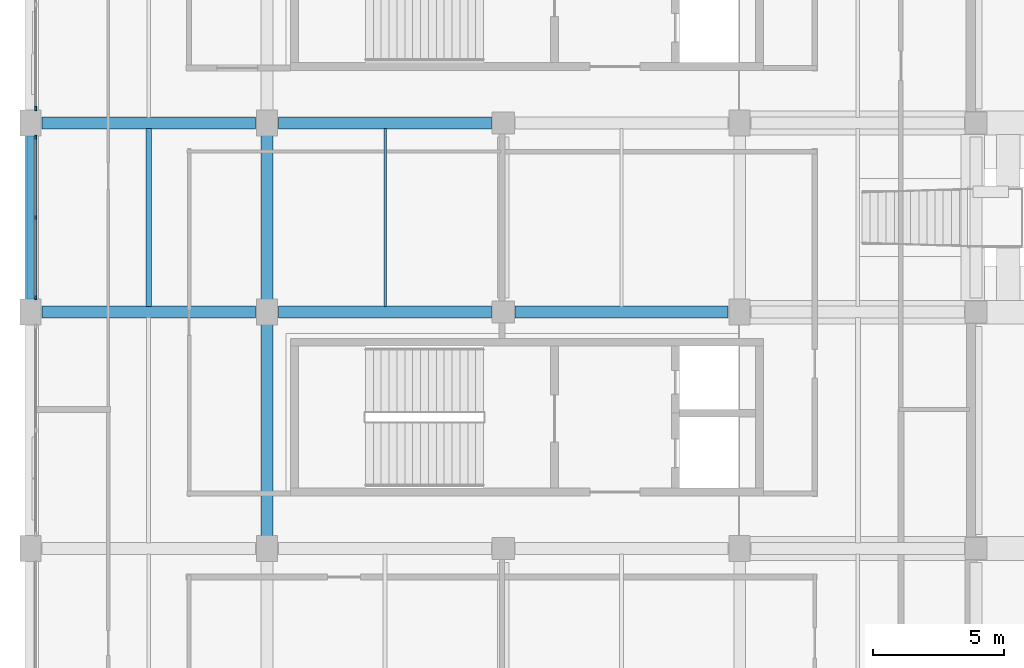
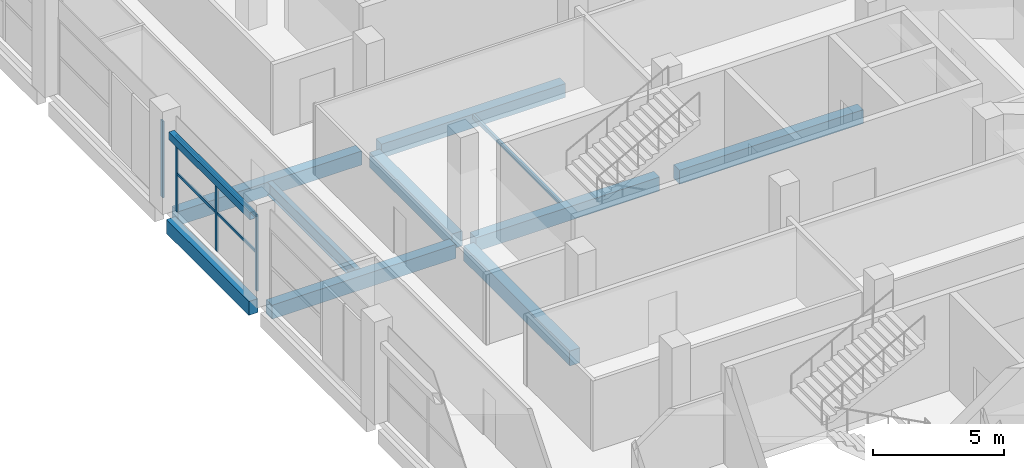
# One storey, part 27 of 66: 10 beams, 7 members, 2 elements without a shape of their own.
"""IFC4 building model written with IfcOpenShell, lengths in metres."""

from ifc_helpers import new_model, si_unit, direction, frame, origin, origin_2d, place, context, subcontext, project, spatial, rectangle, hollow_rectangle, i_section, extrude, material, material_profile, profile_set, type_object, element, aggregate, save


model = new_model("IFC4")

# Units and contexts
model_context = context("Model", 3, precision=1e-05, world=origin(), true_north=direction((0.0, 1.0)))
body_context = subcontext(model_context, "Body", "Model", "MODEL_VIEW")
ifc_project = project(units=[si_unit("LENGTHUNIT", "METRE"), si_unit("AREAUNIT", "SQUARE_METRE"), si_unit("VOLUMEUNIT", "CUBIC_METRE"), si_unit("PLANEANGLEUNIT", "RADIAN"), si_unit("MASSUNIT", "GRAM", prefix="KILO"), si_unit("THERMODYNAMICTEMPERATUREUNIT", "KELVIN"), si_unit("POWERUNIT", "WATT")], contexts=[model_context])

# Site, building, storey
site_placement = place(None, origin())
site = spatial("IfcSite", under=ifc_project, at=site_placement, CompositionType="ELEMENT")
building_placement = place(site_placement, origin())
building = spatial("IfcBuilding", under=site, at=building_placement, Name="Sindhuravela Promenade Stadium", CompositionType="ELEMENT")
storey_placement = place(building_placement, frame((0.0, 0.0, 19.199951171875)))
storey = spatial("IfcBuildingStorey", under=building, at=storey_placement, Name="L04", CompositionType="ELEMENT", Elevation=19.199951171875)

# Curtain wall, members
ifc_material_1 = material(Name="Anodised architectural aluminium 6063-T6", Category="aluminium")
curtain_wall_type_1 = type_object("IfcCurtainWallType", Name="CW-MOD-8", PredefinedType="NOTDEFINED", material=ifc_material_1)
curtain_wall_1_placement = place(storey_placement, origin())
curtain_wall_1 = element("IfcCurtainWall", 1, at=curtain_wall_1_placement, inside=storey, type_object=curtain_wall_type_1, Name="Bronze curtain wall CW-WEST-L04-055", PredefinedType="NOTDEFINED")
ifc_material_profile_1 = material_profile(ifc_material_1, rectangle(XDim=0.06494140625, YDim=0.14990234375, at=origin_2d()), Name="ALU MULL 65x150")
ifc_profile_set_1 = profile_set([ifc_material_profile_1], Name="Anodised architectural aluminium 6063-T6")
member_type_1 = type_object("IfcMemberType", Name="CW-MUL-2", PredefinedType="MULLION", material=ifc_profile_set_1)
member_1_placement = place(storey_placement, frame((0.199951171875, 94.14990234375, 0.0), z_axis=(0.0, 0.0, 1.0), x_axis=(1.0, 0.0, 0.0)))
member_1 = element("IfcMember", 2, at=member_1_placement, type_object=member_type_1, Name="Curtain wall mullion CW-WEST-L04-055-M1", PredefinedType="MULLION", context=body_context, shape_type="SweptSolid", body=[
    extrude(rectangle(XDim=0.06494140625, YDim=0.14990234375, at=origin_2d()), origin(), (0.0, 0.0, 1.0), 3.580078125),
])
member_2_placement = place(storey_placement, frame((0.199951171875, 97.199951171875, 0.0), z_axis=(0.0, 0.0, 1.0), x_axis=(1.0, 0.0, 0.0)))
member_2 = element("IfcMember", 3, at=member_2_placement, type_object=member_type_1, Name="Curtain wall mullion CW-WEST-L04-055-M2", PredefinedType="MULLION", context=body_context, shape_type="SweptSolid", body=[
    extrude(rectangle(XDim=0.06494140625, YDim=0.14990234375, at=origin_2d()), origin(), (0.0, 0.0, 1.0), 3.580078125),
])
member_3_placement = place(storey_placement, frame((0.199951171875, 100.25, 0.0), z_axis=(0.0, 0.0, 1.0), x_axis=(1.0, 0.0, 0.0)))
member_3 = element("IfcMember", 4, at=member_3_placement, type_object=member_type_1, Name="Curtain wall mullion CW-WEST-L04-055-M3", PredefinedType="MULLION", context=body_context, shape_type="SweptSolid", body=[
    extrude(rectangle(XDim=0.06494140625, YDim=0.14990234375, at=origin_2d()), origin(), (0.0, 0.0, 1.0), 3.580078125),
])

# Curtain wall, member
curtain_wall_type_2 = type_object("IfcCurtainWallType", Name="CW-MOD-1", PredefinedType="NOTDEFINED", material=ifc_material_1)
curtain_wall_2_placement = place(storey_placement, origin())
curtain_wall_2 = element("IfcCurtainWall", 5, at=curtain_wall_2_placement, inside=storey, type_object=curtain_wall_type_2, Name="Bronze curtain wall CW-WEST-L04-056", PredefinedType="NOTDEFINED")
ifc_material_profile_2 = material_profile(ifc_material_1, rectangle(XDim=0.06005859375, YDim=0.179931640625, at=origin_2d()), Name="ALU M60x180")
ifc_profile_set_2 = profile_set([ifc_material_profile_2], Name="Anodised architectural aluminium 6063-T6")
member_type_2 = type_object("IfcMemberType", Name="CW-MUL-3", PredefinedType="MULLION", material=ifc_profile_set_2)
member_4_placement = place(storey_placement, frame((0.199951171875, 101.35009765625, 0.0), z_axis=(0.0, 0.0, 1.0), x_axis=(1.0, 0.0, 0.0)))
member_4 = element("IfcMember", 6, at=member_4_placement, type_object=member_type_2, Name="Curtain wall mullion CW-WEST-L04-056-M1", PredefinedType="MULLION", context=body_context, shape_type="SweptSolid", body=[
    extrude(rectangle(XDim=0.06005859375, YDim=0.179931640625, at=origin_2d()), origin(), (0.0, 0.0, 1.0), 3.580078125),
])
aggregate(curtain_wall_2, [member_4])

# Member
ifc_material_profile_3 = material_profile(ifc_material_1, rectangle(XDim=0.06494140625, YDim=0.125, at=origin_2d()), Name="ALU TRAN 65x125")
ifc_profile_set_3 = profile_set([ifc_material_profile_3], Name="Anodised architectural aluminium 6063-T6")
member_type_3 = type_object("IfcMemberType", Name="CW-TRN-2", PredefinedType="USERDEFINED", material=ifc_profile_set_3)
member_5_placement = place(storey_placement, frame((0.199951171875, 94.125, 1.7900390625), z_axis=(0.0, 1.0, 0.0), x_axis=(-1.0, 0.0, 0.0)))
member_5 = element("IfcMember", 7, at=member_5_placement, type_object=member_type_3, Name="Curtain wall transom CW-WEST-L04-055-T1", ObjectType="TRANSOM", PredefinedType="USERDEFINED", context=body_context, shape_type="SweptSolid", body=[
    extrude(rectangle(XDim=0.06494140625, YDim=0.125, at=origin_2d()), origin(), (0.0, 0.0, 1.0), 6.14990234375),
])

member_6_placement = place(storey_placement, frame((0.199951171875, 94.125, 3.5), z_axis=(0.0, 1.0, 0.0), x_axis=(-1.0, 0.0, 0.0)))
member_6 = element("IfcMember", 8, at=member_6_placement, type_object=member_type_3, Name="Curtain wall transom CW-WEST-L04-055-T2", ObjectType="TRANSOM", PredefinedType="USERDEFINED", context=body_context, shape_type="SweptSolid", body=[
    extrude(rectangle(XDim=0.06494140625, YDim=0.125, at=origin_2d()), origin(), (0.0, 0.0, 1.0), 6.14990234375),
])

aggregate(curtain_wall_1, [member_1, member_2, member_3, member_5, member_6])

# Beams
ifc_material_2 = material(Name="Concrete M40", Category="concrete")
ifc_material_profile_4 = material_profile(ifc_material_2, rectangle(XDim=0.39990234375, YDim=0.64990234375, at=origin_2d()), Name="RC 400x650")
ifc_profile_set_4 = profile_set([ifc_material_profile_4], Name="Concrete M40")
beam_type_1 = type_object("IfcBeamType", Name="RC-BM-400x650", PredefinedType="SPANDREL", material=ifc_profile_set_4)
beam_1_placement = place(storey_placement, frame((0.0, 94.0400390625, -0.64501953125), z_axis=(0.0, 1.0, 0.0), x_axis=(-1.0, 0.0, 0.0)))
element("IfcBeam", 9, at=beam_1_placement, inside=storey, type_object=beam_type_1, Name="Primary beam SP01 WEST L04", PredefinedType="SPANDREL", context=body_context, shape_type="SweptSolid", body=[
    extrude(rectangle(XDim=0.39990234375, YDim=0.64990234375, at=origin_2d()), origin(), (0.0, 0.0, 1.0), 6.320068359375),
])
ifc_material_profile_5 = material_profile(ifc_material_2, rectangle(XDim=0.449951171875, YDim=0.64990234375, at=origin_2d()), Name="RC 450x650")
ifc_profile_set_5 = profile_set([ifc_material_profile_5], Name="Concrete M40")
beam_type_2 = type_object("IfcBeamType", Name="RC-BM-450x650", PredefinedType="T_BEAM", material=ifc_profile_set_5)
for number, where, z_axis, x_axis, name in (
    (10, (0.43994140625, 93.60009765625, -0.64501953125), (1.0, 0.0, 0.0), (0.0, 1.0, 0.0), "Primary girder GB08 WEST L04"),
    (11, (9.43994140625, 93.60009765625, -0.64501953125), (1.0, 0.0, 0.0), (0.0, 1.0, 0.0), "Primary girder GB08 WEST L04"),
    (12, (18.43994140625, 93.60009765625, -0.64501953125), (1.0, 0.0, 0.0), (0.0, 1.0, 0.0), "Primary girder GB08 WEST L04"),
    (13, (0.43994140625, 100.800048828125, -0.64501953125), (1.0, 0.0, 0.0), (0.0, 1.0, 0.0), "Primary girder GB08 WEST L04"),
    (14, (9.43994140625, 100.800048828125, -0.64501953125), (1.0, 0.0, 0.0), (0.0, 1.0, 0.0), "Primary girder GB08 WEST L04"),
):
    element("IfcBeam", number, at=place(storey_placement, frame(where, z_axis=z_axis, x_axis=x_axis)), inside=storey, type_object=beam_type_2, Name=name, PredefinedType="T_BEAM", context=body_context, shape_type="SweptSolid", body=[
        extrude(rectangle(XDim=0.449951171875, YDim=0.64990234375, at=origin_2d()), origin(), (0.0, 0.0, 1.0), 8.1201171875),
    ])
ifc_material_profile_6 = material_profile(ifc_material_2, rectangle(XDim=0.449951171875, YDim=0.699951171875, at=origin_2d()), Name="RC 450x700")
ifc_profile_set_6 = profile_set([ifc_material_profile_6], Name="Concrete M40")
beam_type_3 = type_object("IfcBeamType", Name="RC-BM-450x700", PredefinedType="BEAM", material=ifc_profile_set_6)
beam_2_placement = place(storey_placement, frame((9.0, 85.0400390625, -0.669921875), z_axis=(0.0, 1.0, 0.0), x_axis=(-1.0, 0.0, 0.0)))
element("IfcBeam", 15, at=beam_2_placement, inside=storey, type_object=beam_type_3, Name="Primary beam GB07 WEST L04", PredefinedType="BEAM", context=body_context, shape_type="SweptSolid", body=[
    extrude(rectangle(XDim=0.449951171875, YDim=0.699951171875, at=origin_2d()), origin(), (0.0, 0.0, 1.0), 8.119873046875),
])
beam_3_placement = place(storey_placement, frame((9.0, 94.0400390625, -0.669921875), z_axis=(0.0, 1.0, 0.0), x_axis=(-1.0, 0.0, 0.0)))
element("IfcBeam", 16, at=beam_3_placement, inside=storey, type_object=beam_type_3, Name="Primary beam GB07 WEST L04", PredefinedType="BEAM", context=body_context, shape_type="SweptSolid", body=[
    extrude(rectangle(XDim=0.449951171875, YDim=0.699951171875, at=origin_2d()), origin(), (0.0, 0.0, 1.0), 6.320068359375),
])
ifc_material_3 = material(Name="Steel E350 (IS 2062 E350BR)", Category="steel")
ifc_material_profile_7 = material_profile(ifc_material_3, hollow_rectangle(XDim=0.10009765625, YDim=0.199951171875, WallThickness=0.008056640625, at=origin_2d()), Name="RHS 200x100x8")
ifc_profile_set_7 = profile_set([ifc_material_profile_7], Name="Steel E350 (IS 2062 E350BR)")
beam_type_4 = type_object("IfcBeamType", Name="ST-BM-LNT200", PredefinedType="LINTEL", material=ifc_profile_set_7)
beam_4_placement = place(storey_placement, frame((13.5, 93.81494140625, -0.419921875), z_axis=(0.0, 1.0, 0.0), x_axis=(-1.0, 0.0, 0.0)))
element("IfcBeam", 17, at=beam_4_placement, inside=storey, type_object=beam_type_4, Name="Secondary floor joist LN01 WEST L04", PredefinedType="LINTEL", context=body_context, shape_type="SweptSolid", body=[
    extrude(hollow_rectangle(XDim=0.10009765625, YDim=0.199951171875, WallThickness=0.008056640625, at=origin_2d()), origin(), (0.0, 0.0, 1.0), 6.77001953125),
])
ifc_material_profile_8 = material_profile(ifc_material_3, i_section(OverallWidth=0.2099609375, OverallDepth=0.60009765625, WebThickness=0.011962890625, FlangeThickness=0.020751953125, FilletRadius=0.02001953125, at=origin_2d()), Name="ISMB 600")
ifc_profile_set_8 = profile_set([ifc_material_profile_8], Name="Steel E350 (IS 2062 E350BR)")
beam_type_5 = type_object("IfcBeamType", Name="ST-BM-MB600", PredefinedType="BEAM", material=ifc_profile_set_8)
beam_5_placement = place(storey_placement, frame((4.5, 93.81494140625, -0.619873046875), z_axis=(0.0, 1.0, 0.0), x_axis=(-1.0, 0.0, 0.0)))
element("IfcBeam", 18, at=beam_5_placement, inside=storey, type_object=beam_type_5, Name="Secondary floor joist SB09 WEST L04", PredefinedType="BEAM", context=body_context, shape_type="SweptSolid", body=[
    extrude(i_section(OverallWidth=0.2099609375, OverallDepth=0.60009765625, WebThickness=0.011962890625, FlangeThickness=0.020751953125, FilletRadius=0.02001953125, at=origin_2d()), origin(), (0.0, 0.0, 1.0), 6.77001953125),
])

# Member
ifc_material_profile_9 = material_profile(ifc_material_3, hollow_rectangle(XDim=0.25, YDim=0.35009765625, WallThickness=0.011962890625, at=origin_2d()), Name="RHS 350x250x12")
ifc_profile_set_9 = profile_set([ifc_material_profile_9], Name="Steel E350 (IS 2062 E350BR)")
member_type_4 = type_object("IfcMemberType", Name="ST-MB-RHS350", PredefinedType="CHORD", material=ifc_profile_set_9)
member_7_placement = place(storey_placement, frame((0.0, 94.092041015625, 3.60009765625), z_axis=(0.0, 1.0, 0.0), x_axis=(-1.0, 0.0, 0.0)))
element("IfcMember", 19, at=member_7_placement, inside=storey, type_object=member_type_4, Name="Portal tie member MC02-16", PredefinedType="CHORD", context=body_context, shape_type="SweptSolid", body=[
    extrude(hollow_rectangle(XDim=0.25, YDim=0.35009765625, WallThickness=0.011962890625, at=origin_2d()), origin(), (0.0, 0.0, 1.0), 6.216064453125),
])

save(model, "model.ifc")
